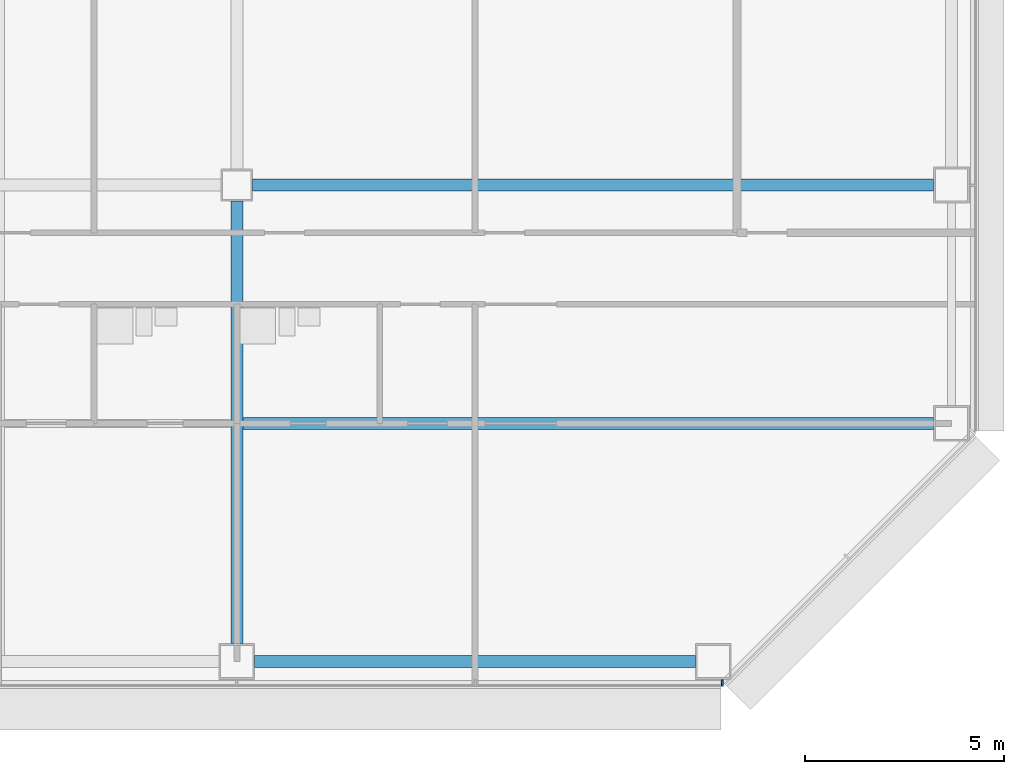
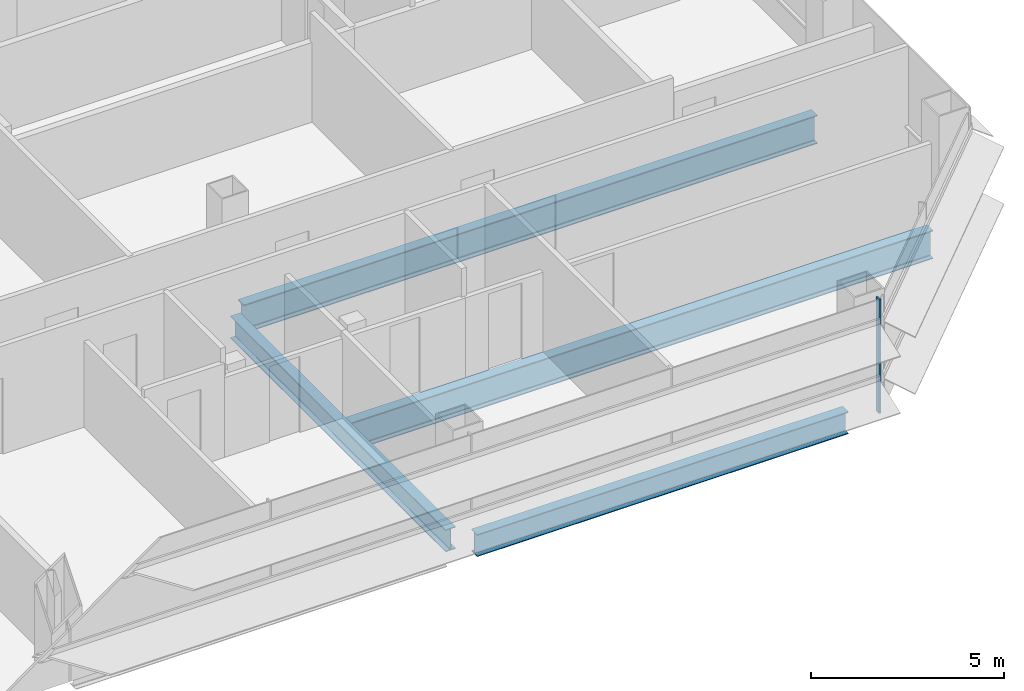
# One storey, part 9 of 27: 4 beams, 1 member, 1 element without a shape of its own.
"""IFC4 building model written with IfcOpenShell, lengths in metres."""

from ifc_helpers import new_model, si_unit, direction, frame, origin, origin_2d, place, context, subcontext, project, spatial, rectangle, i_section, extrude, material, material_profile, profile_set, type_object, element, aggregate, save


model = new_model("IFC4")

# Units and contexts
model_context = context("Model", 3, precision=1e-05, world=origin(), true_north=direction((0.0, 1.0)))
body_context = subcontext(model_context, "Body", "Model", "MODEL_VIEW")
ifc_project = project(units=[si_unit("LENGTHUNIT", "METRE"), si_unit("AREAUNIT", "SQUARE_METRE"), si_unit("VOLUMEUNIT", "CUBIC_METRE"), si_unit("PLANEANGLEUNIT", "RADIAN"), si_unit("MASSUNIT", "GRAM", prefix="KILO")], contexts=[model_context])

# Site, building, storey
site_placement = place(None, origin())
site = spatial("IfcSite", under=ifc_project, at=site_placement, CompositionType="ELEMENT")
building_placement = place(site_placement, origin())
building = spatial("IfcBuilding", under=site, at=building_placement, Name="Sorahane Residences", CompositionType="ELEMENT")
storey_placement = place(building_placement, frame((0.0, 0.0, 57.0)))
storey = spatial("IfcBuildingStorey", under=building, at=storey_placement, Name="L10", CompositionType="ELEMENT", Elevation=57.0)

# Curtain wall, member
ifc_material_1 = material(Name="Dark low-e glass and black anodised aluminium", Category="aluminium")
curtain_wall_type = type_object("IfcCurtainWallType", Name="Curtain wall CW-1 Typical unitised wall", PredefinedType="NOTDEFINED", material=ifc_material_1)
curtain_wall_placement = place(storey_placement, origin())
curtain_wall = element("IfcCurtainWall", 1, at=curtain_wall_placement, inside=storey, type_object=curtain_wall_type, Name="CW-1 curtain wall L10 S1", PredefinedType="NOTDEFINED")
ifc_material_2 = material(Name="Black anodised aluminium", Category="aluminium")
ifc_material_profile_1 = material_profile(ifc_material_2, rectangle(XDim=0.159912109375, YDim=0.050048828125, at=origin_2d()), Name="Curtain wall mullion CW-1 black anodised aluminium 50x160")
ifc_profile_set_1 = profile_set([ifc_material_profile_1], Name="Black anodised aluminium")
member_type = type_object("IfcMemberType", Name="Curtain wall mullion CW-1 black anodised aluminium 50x160", PredefinedType="MULLION", material=ifc_profile_set_1)
member_placement = place(storey_placement, frame((60.2236328125, -0.5400390625, -0.179931640625), z_axis=(0.0, 0.0, 1.0), x_axis=(0.0, -1.0, 0.0)))
member = element("IfcMember", 2, at=member_placement, type_object=member_type, Name="CW-1 mullion L10 S1.10", PredefinedType="MULLION", context=body_context, shape_type="SweptSolid", body=[
    extrude(rectangle(XDim=0.159912109375, YDim=0.050048828125, at=origin_2d()), origin(), (0.0, 0.0, 1.0), 3.599853515625),
])
aggregate(curtain_wall, [member])

# Beams
ifc_material_3 = material(Name="Steel Q355B", Category="steel")
ifc_material_profile_2 = material_profile(ifc_material_3, i_section(OverallWidth=0.300048828125, OverallDepth=0.699951171875, WebThickness=0.012939453125, FlangeThickness=0.02392578125, FilletRadius=0.028076171875, at=origin_2d()), Name="HN 700x300x13x24")
ifc_profile_set_2 = profile_set([ifc_material_profile_2], Name="Steel Q355B")
beam_type_1 = type_object("IfcBeamType", Name="Steel floor beam HN 700x300x13x24 Q355B", PredefinedType="BEAM", material=ifc_profile_set_2)
beam_1_placement = place(storey_placement, frame((48.449951171875, 0.0, -0.530029296875), z_axis=(1.0, 0.0, 0.0), x_axis=(0.0, 1.0, 0.0)))
element("IfcBeam", 3, at=beam_1_placement, inside=storey, type_object=beam_type_1, Name="Beam L10 004", PredefinedType="BEAM", context=body_context, shape_type="SweptSolid", body=[
    extrude(i_section(OverallWidth=0.300048828125, OverallDepth=0.699951171875, WebThickness=0.012939453125, FlangeThickness=0.02392578125, FilletRadius=0.028076171875, at=origin_2d()), origin(), (0.0, 0.0, 1.0), 11.10009765625),
])
beam_2_placement = place(storey_placement, frame((48.0, 0.449951171875, -0.530029296875), z_axis=(0.0, 1.0, 0.0), x_axis=(-1.0, 0.0, 0.0)))
element("IfcBeam", 4, at=beam_2_placement, inside=storey, type_object=beam_type_1, Name="Beam L10 051", PredefinedType="BEAM", context=body_context, shape_type="SweptSolid", body=[
    extrude(i_section(OverallWidth=0.300048828125, OverallDepth=0.699951171875, WebThickness=0.012939453125, FlangeThickness=0.02392578125, FilletRadius=0.028076171875, at=origin_2d()), origin(), (0.0, 0.0, 1.0), 11.150146484375),
])
ifc_material_4 = material(Name="Steel Q355B", Category="steel")
ifc_material_profile_3 = material_profile(ifc_material_4, i_section(OverallWidth=0.300048828125, OverallDepth=0.89990234375, WebThickness=0.01611328125, FlangeThickness=0.028076171875, FilletRadius=0.028076171875, at=origin_2d()), Name="HN 900x300x16x28")
ifc_profile_set_3 = profile_set([ifc_material_profile_3], Name="Steel Q355B")
beam_type_2 = type_object("IfcBeamType", Name="Steel floor beam HN 900x300x16x28 Q355B", PredefinedType="BEAM", material=ifc_profile_set_3)
beam_3_placement = place(storey_placement, frame((48.39990234375, 12.0, -0.6298828125), z_axis=(1.0, 0.0, 0.0), x_axis=(0.0, 1.0, 0.0)))
element("IfcBeam", 5, at=beam_3_placement, inside=storey, type_object=beam_type_2, Name="Beam L10 009", PredefinedType="BEAM", context=body_context, shape_type="SweptSolid", body=[
    extrude(i_section(OverallWidth=0.300048828125, OverallDepth=0.89990234375, WebThickness=0.01611328125, FlangeThickness=0.028076171875, FilletRadius=0.028076171875, at=origin_2d()), origin(), (0.0, 0.0, 1.0), 17.150146484375),
])
beam_4_placement = place(storey_placement, frame((48.14990234375, 6.0, -0.6298828125), z_axis=(1.0, 0.0, 0.0), x_axis=(0.0, 1.0, 0.0)))
element("IfcBeam", 6, at=beam_4_placement, inside=storey, type_object=beam_type_2, Name="Beam L10 069", PredefinedType="BEAM", context=body_context, shape_type="SweptSolid", body=[
    extrude(i_section(OverallWidth=0.300048828125, OverallDepth=0.89990234375, WebThickness=0.01611328125, FlangeThickness=0.028076171875, FilletRadius=0.028076171875, at=origin_2d()), origin(), (0.0, 0.0, 1.0), 17.400146484375),
])

save(model, "model.ifc")
